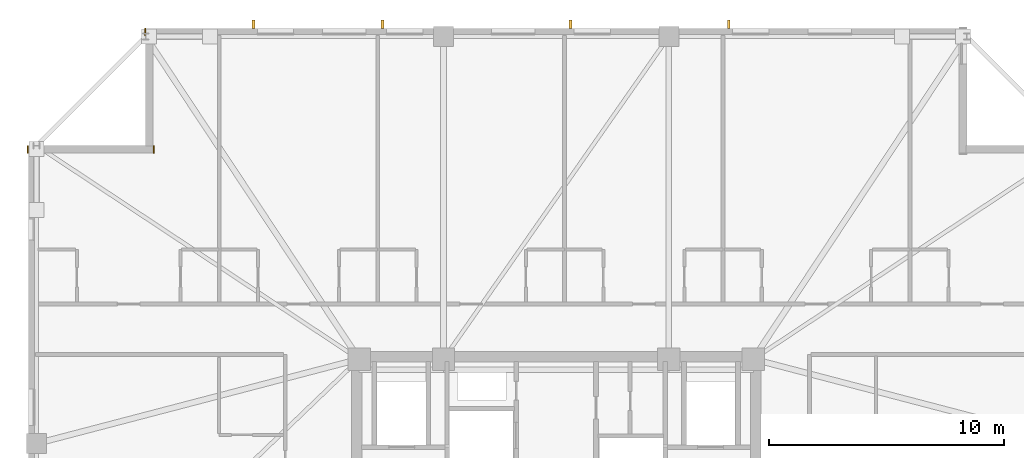
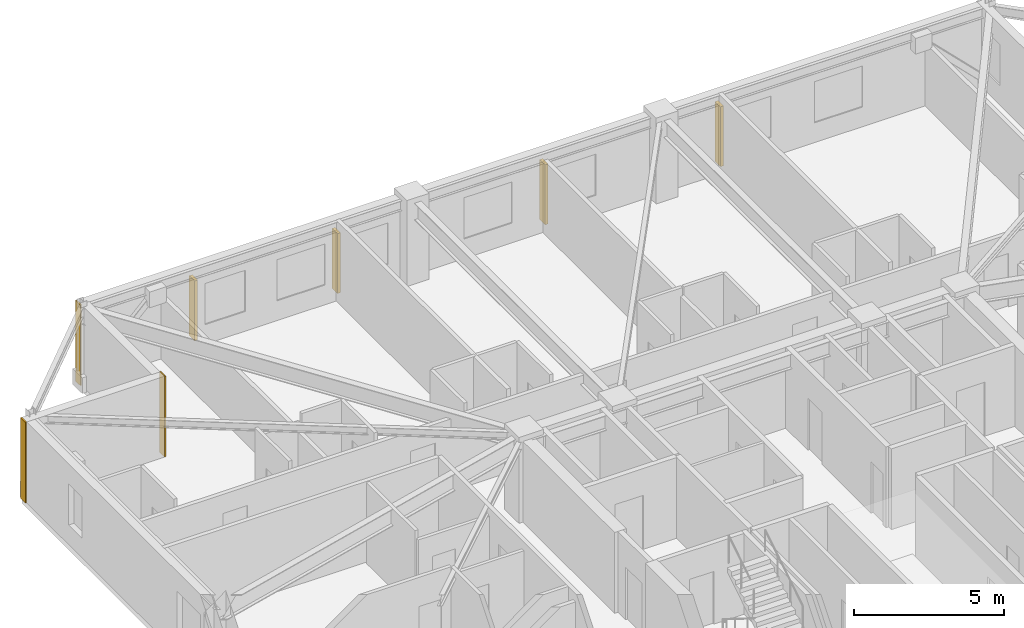
# One storey, part 16 of 17: 4 shading devices, 3 coverings.
"""IFC4 building model written with IfcOpenShell, lengths in metres."""

from ifc_helpers import new_model, si_unit, direction, frame, frame_2d, origin, origin_2d, place, context, subcontext, project, spatial, rectangle, extrude, material, layer, layer_set, type_object, element, save


model = new_model("IFC4")

# Units and contexts
model_context = context("Model", 3, precision=1e-05, world=origin(), true_north=direction((0.0, 1.0)))
body_context = subcontext(model_context, "Body", "Model", "MODEL_VIEW")
ifc_project = project(units=[si_unit("LENGTHUNIT", "METRE"), si_unit("AREAUNIT", "SQUARE_METRE"), si_unit("VOLUMEUNIT", "CUBIC_METRE"), si_unit("PLANEANGLEUNIT", "RADIAN"), si_unit("MASSUNIT", "GRAM", prefix="KILO")], contexts=[model_context])

# Site, building, storey
site_placement = place(None, origin())
site = spatial("IfcSite", under=ifc_project, at=site_placement, CompositionType="ELEMENT")
building_placement = place(site_placement, origin())
building = spatial("IfcBuilding", under=site, at=building_placement, Name="Cairnveth Concourse Tower", CompositionType="ELEMENT")
storey_placement = place(building_placement, frame((0.0, 0.0, 248.0)))
storey = spatial("IfcBuildingStorey", under=building, at=storey_placement, Name="L68", CompositionType="ELEMENT", Elevation=248.0)

# Coverings
ifc_material_1 = material(Name="Dressed Melbourne Bluestone Cladding", Category="masonry")
ifc_layer = layer(ifc_material_1, 0.050048828125)
ifc_layer_set = layer_set([ifc_layer], Name="Dressed Melbourne Bluestone Cladding")
covering_type = type_object("IfcCoveringType", Name="DRESSED BLUESTONE PLINTH CLADDING 50", PredefinedType="CLADDING", material=ifc_layer_set)
for number, where, z_axis, x_axis, name in (
    (1, (29.47998046875, 56.179931640625, 0.0), (0.0, 0.0, 1.0), (0.0, 1.0, 0.0), "Melbourne Bluestone Corner Quoin L68-1024"),
    (2, (34.840087890625, 56.179931640625, 0.0), (0.0, 0.0, 1.0), (0.0, 1.0, 0.0), "Melbourne Bluestone Corner Quoin L68-1025"),
    (3, (34.47998046875, 61.179931640625, 0.0), (0.0, 0.0, 1.0), (0.0, 1.0, 0.0), "Melbourne Bluestone Corner Quoin L68-1026"),
):
    element("IfcCovering", number, at=place(storey_placement, frame(where, z_axis=z_axis, x_axis=x_axis)), inside=storey, type_object=covering_type, Name=name, PredefinedType="CLADDING", context=body_context, shape_type="SweptSolid", body=[
        extrude(rectangle(XDim=0.320068359375, YDim=0.050048828125, at=frame_2d((0.16015625, 0.0))), origin(), (0.0, 0.0, 1.0), 3.2900390625),
    ])

# Shading devices
ifc_material_2 = material(Name="Architectural Bronze Anodised Aluminium 6063-T6", Category="aluminium")
shading_device_type = type_object("IfcShadingDeviceType", Name="GOTHIC BRONZE VERTICAL LANCET FIN", PredefinedType="USERDEFINED", material=ifc_material_2)
for number, where, z_axis, x_axis, name in (
    (4, (39.1025390625, 61.675048828125, 0.030029296875), (0.0, 0.0, 1.0), (1.0, 0.0, 0.0), "Gothic Bronze Vertical Fin L68-3-1"),
    (5, (44.60302734375, 61.675048828125, 0.030029296875), (0.0, 0.0, 1.0), (1.0, 0.0, 0.0), "Gothic Bronze Vertical Fin L68-3-3"),
    (6, (52.603515625, 61.675048828125, 0.030029296875), (0.0, 0.0, 1.0), (1.0, 0.0, 0.0), "Gothic Bronze Vertical Fin L68-3-5"),
    (7, (59.35400390625, 61.675048828125, 0.030029296875), (0.0, 0.0, 1.0), (1.0, 0.0, 0.0), "Gothic Bronze Vertical Fin L68-3-7"),
):
    element("IfcShadingDevice", number, at=place(storey_placement, frame(where, z_axis=z_axis, x_axis=x_axis)), inside=storey, type_object=shading_device_type, Name=name, ObjectType="VERTICAL FIN", PredefinedType="USERDEFINED", context=body_context, shape_type="SweptSolid", body=[
        extrude(rectangle(XDim=0.1201171875, YDim=0.360107421875, at=origin_2d()), origin(), (0.0, 0.0, 1.0), 2.43798828125),
    ])

save(model, "model.ifc")
